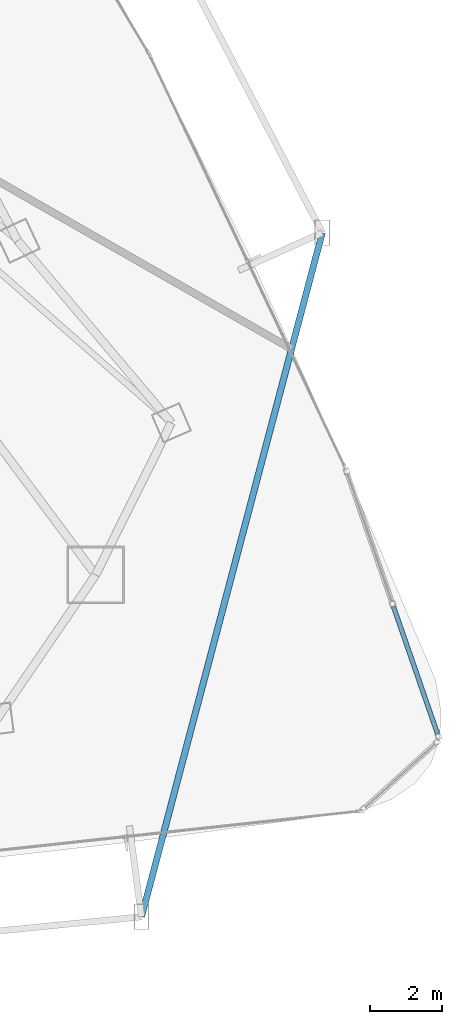
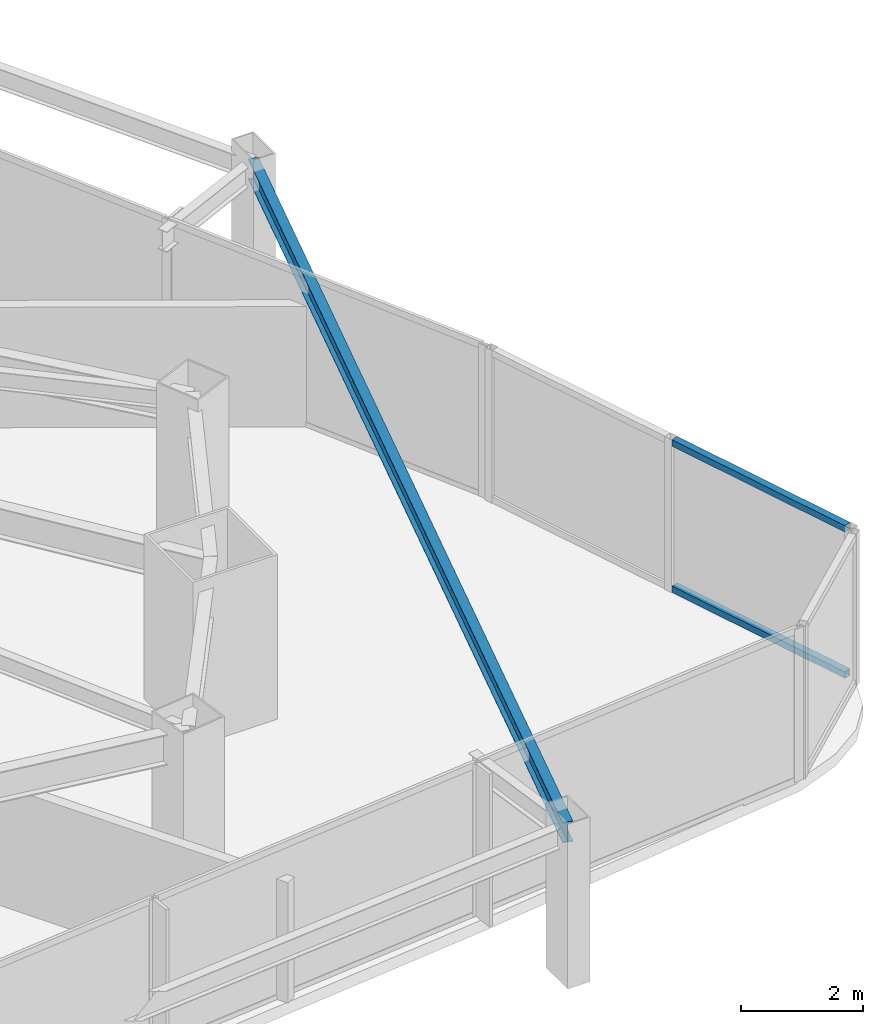
# One storey, part 17 of 37: 2 members, 1 beam, 1 element without a shape of its own.
"""IFC4 building model written with IfcOpenShell, lengths in metres."""

from ifc_helpers import new_model, si_unit, direction, frame, origin, origin_2d, place, context, subcontext, project, spatial, hollow_rectangle, i_section, extrude, material, layer, layer_set, material_profile, profile_set, type_object, element, aggregate, save


model = new_model("IFC4")

# Units and contexts
model_context = context("Model", 3, precision=1e-05, world=origin(), true_north=direction((0.0, 1.0)))
body_context = subcontext(model_context, "Body", "Model", "MODEL_VIEW")
ifc_project = project(units=[si_unit("LENGTHUNIT", "METRE"), si_unit("AREAUNIT", "SQUARE_METRE"), si_unit("VOLUMEUNIT", "CUBIC_METRE"), si_unit("PLANEANGLEUNIT", "RADIAN"), si_unit("MASSUNIT", "GRAM", prefix="KILO")], contexts=[model_context])

# Site, building, storey
site_placement = place(None, origin())
site = spatial("IfcSite", under=ifc_project, at=site_placement, CompositionType="ELEMENT")
building_placement = place(site_placement, origin())
building = spatial("IfcBuilding", under=site, at=building_placement, Name="Orvanel Arch Residences", CompositionType="ELEMENT")
storey_placement = place(building_placement, frame((0.0, 0.0, 53.300048828125)))
storey = spatial("IfcBuildingStorey", under=building, at=storey_placement, Name="L14", CompositionType="ELEMENT", Elevation=53.300048828125)

# Beam
ifc_material_1 = material(Name="Structural steel AS/NZS 3679.1 Grade 300 (300 MPa)", Category="steel")
ifc_material_profile_1 = material_profile(ifc_material_1, i_section(OverallWidth=0.177978515625, OverallDepth=0.406005859375, WebThickness=0.0078125, FlangeThickness=0.0126953125, at=origin_2d()), Name="410UB59.7")
ifc_profile_set_1 = profile_set([ifc_material_profile_1], Name="Structural steel AS/NZS 3679.1 Grade 300 (300 MPa)")
beam_type = type_object("IfcBeamType", Name="OB-410UB-EXT", PredefinedType="SPANDREL", material=ifc_profile_set_1)
beam_placement = place(storey_placement, frame((53.076904296875, 0.843017578125, 2.85693359375), z_axis=(0.255447803759, 0.966822848072, 0.0), x_axis=(-0.966822848072, 0.255447803759, 0.0)))
element("IfcBeam", 1, at=beam_placement, inside=storey, type_object=beam_type, Name="L14 Outer Perimeter Floor Ring Beam 08", PredefinedType="SPANDREL", context=body_context, shape_type="SweptSolid", body=[
    extrude(i_section(OverallWidth=0.177978515625, OverallDepth=0.406005859375, WebThickness=0.0078125, FlangeThickness=0.0126953125, at=origin_2d()), origin(), (0.0, 0.0, 1.0), 19.67578125),
])

# Curtain wall, members
ifc_material_2 = material(Name="Bronze-anodised aluminium AA6063-T6", Category="aluminium")
ifc_layer = layer(ifc_material_2, 0.18994140625)
ifc_layer_set = layer_set([ifc_layer], Name="Bronze-anodised aluminium AA6063-T6")
curtain_wall_type = type_object("IfcCurtainWallType", Name="CW5-CRN-SYS", PredefinedType="NOTDEFINED", material=ifc_layer_set)
curtain_wall_placement = place(storey_placement, origin())
curtain_wall = element("IfcCurtainWall", 2, at=curtain_wall_placement, inside=storey, type_object=curtain_wall_type, Name="L14 CW5-CRN-SYS Unitised Curtain Wall", PredefinedType="NOTDEFINED")
ifc_material_profile_2 = material_profile(ifc_material_2, hollow_rectangle(XDim=0.1298828125, YDim=0.1298828125, WallThickness=0.00439453125, at=origin_2d()), Name="ALU130x130x4.5")
ifc_profile_set_2 = profile_set([ifc_material_profile_2], Name="Bronze-anodised aluminium AA6063-T6")
member_type = type_object("IfcMemberType", Name="TRN-130x130", PredefinedType="USERDEFINED", material=ifc_profile_set_2)
member_1_placement = place(storey_placement, frame((61.309814453125, 5.9248046875, 0.06494140625), z_axis=(-0.327115032015, 0.944984526767, 0.0), x_axis=(-0.944984526767, -0.327115032015, 0.0)))
member_1 = element("IfcMember", 3, at=member_1_placement, type_object=member_type, Name="CW-S5 transom 1.1", ObjectType="TRANSOM", PredefinedType="USERDEFINED", context=body_context, shape_type="SweptSolid", body=[
    extrude(hollow_rectangle(XDim=0.1298828125, YDim=0.1298828125, WallThickness=0.00439453125, at=origin_2d()), origin(), (0.0, 0.0, 1.0), 3.75341796875),
])
member_2_placement = place(storey_placement, frame((61.309814453125, 5.9248046875, 2.994873046875), z_axis=(-0.327115032015, 0.944984526767, 0.0), x_axis=(-0.944984526767, -0.327115032015, 0.0)))
member_2 = element("IfcMember", 4, at=member_2_placement, type_object=member_type, Name="CW-S5 transom 1.2", ObjectType="TRANSOM", PredefinedType="USERDEFINED", context=body_context, shape_type="SweptSolid", body=[
    extrude(hollow_rectangle(XDim=0.1298828125, YDim=0.1298828125, WallThickness=0.00439453125, at=origin_2d()), origin(), (0.0, 0.0, 1.0), 3.75341796875),
])
aggregate(curtain_wall, [member_1, member_2])

save(model, "model.ifc")
